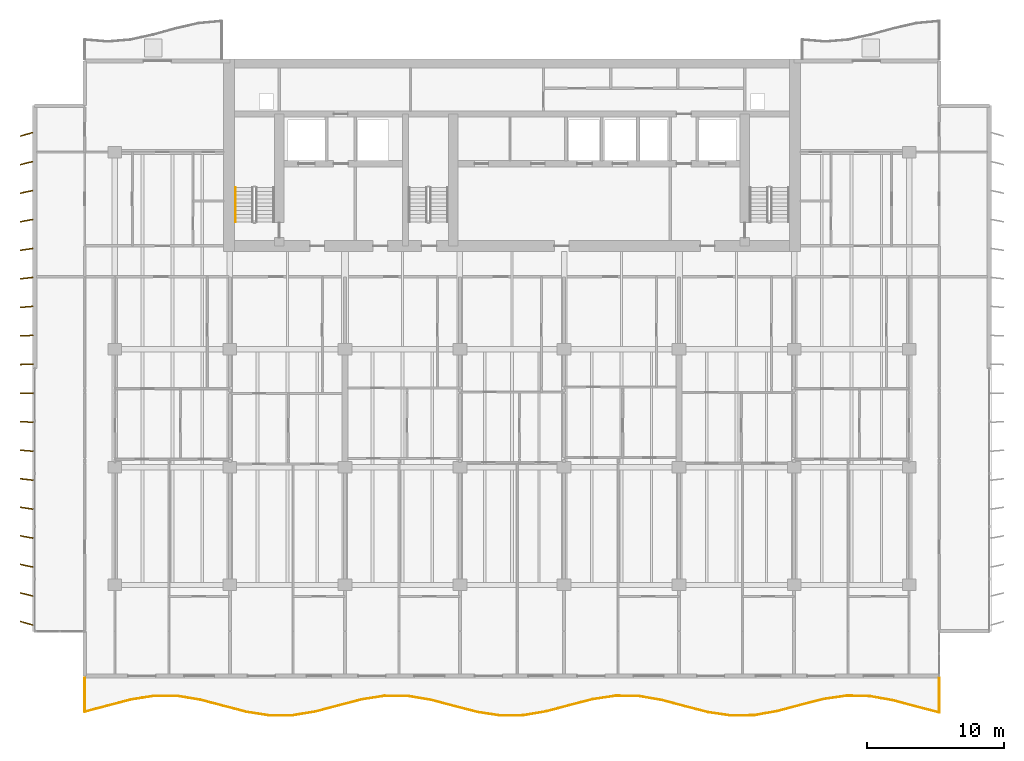
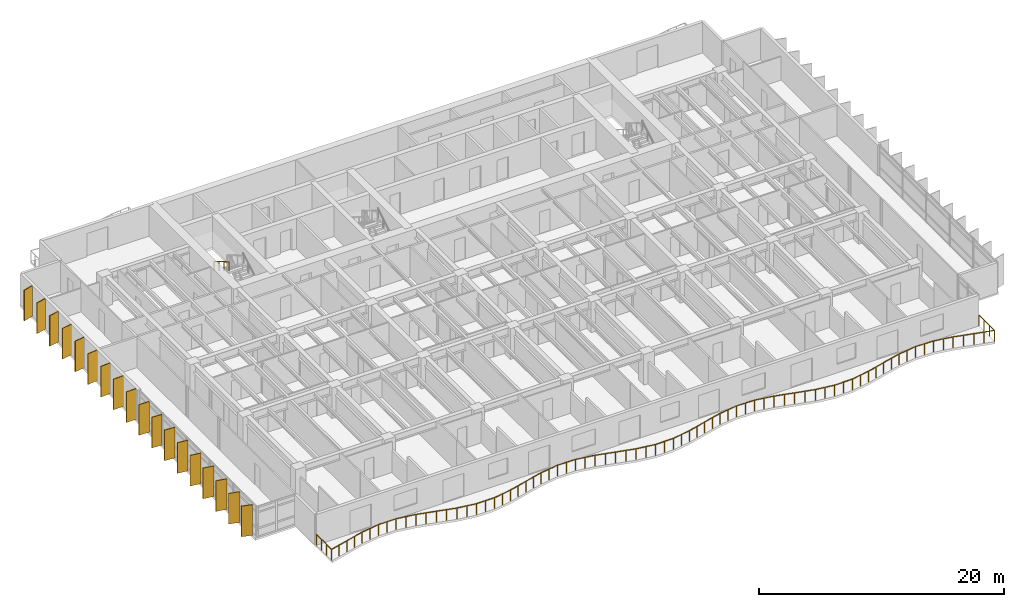
# One storey, part 15 of 18: 18 shading devices, 2 railings.
"""IFC4 building model written with IfcOpenShell, lengths in metres."""

from ifc_helpers import new_model, si_unit, direction, frame, origin, origin_2d, place, context, subcontext, project, spatial, rectangle, circle, extrude, material, material_profile, profile_set, type_object, element, save


model = new_model("IFC4")

# Units and contexts
model_context = context("Model", 3, precision=1e-05, world=origin(), true_north=direction((0.0, 1.0)))
body_context = subcontext(model_context, "Body", "Model", "MODEL_VIEW")
ifc_project = project(units=[si_unit("LENGTHUNIT", "METRE"), si_unit("AREAUNIT", "SQUARE_METRE"), si_unit("VOLUMEUNIT", "CUBIC_METRE"), si_unit("PLANEANGLEUNIT", "RADIAN"), si_unit("MASSUNIT", "GRAM", prefix="KILO")], contexts=[model_context])

# Site, building, storey
site_placement = place(None, origin())
site = spatial("IfcSite", under=ifc_project, at=site_placement, CompositionType="ELEMENT")
building_placement = place(site_placement, origin())
building = spatial("IfcBuilding", under=site, at=building_placement, Name="Caelmar Bay Residences", CompositionType="ELEMENT")
storey_placement = place(building_placement, frame((0.0, 0.0, 122.39990234375)))
storey = spatial("IfcBuildingStorey", under=building, at=storey_placement, Name="L33", CompositionType="ELEMENT", Elevation=122.39990234375)

# Railings
ifc_material_1 = material(Name="Anodised bronze handrail with laminated hurricane glass infill", Category="glass")
railing_type_1 = type_object("IfcRailingType", Name="RL-BAL-1100", PredefinedType="BALUSTRADE", material=ifc_material_1)
railing_1_placement = place(storey_placement, frame((7.699951171875, 5.39990234375, 0.0)))
element("IfcRailing", 1, at=railing_1_placement, inside=storey, type_object=railing_type_1, Name="L33 south Balcony Balustrade", PredefinedType="BALUSTRADE", context=body_context, shape_type="SweptSolid", body=[
    extrude(circle(Radius=0.02392578125, at=origin_2d()), frame((0.0, 0.0, 1.076171875), z_axis=(0.0, -1.0, 0.0), x_axis=(1.0, 0.0, 0.0)), (0.0, 0.0, 1.0), 2.460693359375),
    extrude(circle(Radius=0.02392578125, at=origin_2d()), frame((0.0, -2.460693359375, 1.076171875), z_axis=(0.967242999152, 0.253852281045, 0.0), x_axis=(-0.253852281045, 0.967242999152, 0.0)), (0.0, 0.0, 1.0), 1.74365234375),
    extrude(circle(Radius=0.02392578125, at=origin_2d()), frame((1.6865234375, -2.01806640625, 1.076171875), z_axis=(0.967346068881, 0.25345923345, 0.0), x_axis=(-0.25345923345, 0.967346068881, 0.0)), (0.0, 0.0, 1.0), 1.743408203125),
    extrude(circle(Radius=0.02392578125, at=origin_2d()), frame((3.373046875, -1.576171875, 1.076171875), z_axis=(0.987312771939, 0.15878756364, 0.0), x_axis=(-0.15878756364, 0.987312771939, 0.0)), (0.0, 0.0, 1.0), 1.708251953125),
    extrude(circle(Radius=0.02392578125, at=origin_2d()), frame((5.0595703125, -1.304931640625, 1.076171875), z_axis=(0.999997316947, -0.002316484302, 0.0), x_axis=(0.002316484302, 0.999997316947, 0.0)), (0.0, 0.0, 1.0), 1.686279296875),
    extrude(circle(Radius=0.02392578125, at=origin_2d()), frame((6.745849609375, -1.308837890625, 1.076171875), z_axis=(0.986723913917, -0.162406643041, 0.0), x_axis=(0.162406643041, 0.986723913917, 0.0)), (0.0, 0.0, 1.0), 1.709228515625),
    extrude(circle(Radius=0.02392578125, at=origin_2d()), frame((8.432373046875, -1.58642578125, 1.076171875), z_axis=(0.967001967981, -0.254768902971, 0.0), x_axis=(0.254768902971, 0.967001967981, 0.0)), (0.0, 0.0, 1.0), 1.744140625),
    extrude(circle(Radius=0.02392578125, at=origin_2d()), frame((10.118896484375, -2.03076171875, 1.076171875), z_axis=(0.967586028705, -0.252541634301, 0.0), x_axis=(0.252541634301, 0.967586028705, 0.0)), (0.0, 0.0, 1.0), 1.742919921875),
    extrude(circle(Radius=0.02392578125, at=origin_2d()), frame((11.805419921875, -2.470947265625, 1.076171875), z_axis=(0.98773512565, -0.156138789405, 0.0), x_axis=(0.156138789405, 0.98773512565, 0.0)), (0.0, 0.0, 1.0), 1.70751953125),
    extrude(circle(Radius=0.02392578125, at=origin_2d()), frame((13.491943359375, -2.737548828125, 1.076171875), z_axis=(0.999984063822, 0.005645538287, 0.0), x_axis=(-0.005645538287, 0.999984063822, 0.0)), (0.0, 0.0, 1.0), 1.6865234375),
    extrude(circle(Radius=0.02392578125, at=origin_2d()), frame((15.178466796875, -2.72802734375, 1.076171875), z_axis=(0.986285665301, 0.165047224825, 0.0), x_axis=(-0.165047224825, 0.986285665301, 0.0)), (0.0, 0.0, 1.0), 1.7099609375),
    extrude(circle(Radius=0.02392578125, at=origin_2d()), frame((16.864990234375, -2.44580078125, 1.076171875), z_axis=(0.966794774667, 0.255554032794, 0.0), x_axis=(-0.255554032794, 0.966794774667, 0.0)), (0.0, 0.0, 1.0), 1.744384765625),
    extrude(circle(Radius=0.02392578125, at=origin_2d()), frame((18.551513671875, -2.0, 1.076171875), z_axis=(0.967816364062, 0.251657476452, 0.0), x_axis=(-0.251657476452, 0.967816364062, 0.0)), (0.0, 0.0, 1.0), 1.742431640625),
    extrude(circle(Radius=0.02392578125, at=origin_2d()), frame((20.23779296875, -1.5615234375, 1.076171875), z_axis=(0.988172408476, 0.153346963215, 0.0), x_axis=(-0.153346963215, 0.988172408476, 0.0)), (0.0, 0.0, 1.0), 1.706787109375),
    extrude(circle(Radius=0.02392578125, at=origin_2d()), frame((21.92431640625, -1.2998046875, 1.076171875), z_axis=(0.999959726211, -0.00897473987, 0.0), x_axis=(0.00897473987, 0.999959726211, 0.0)), (0.0, 0.0, 1.0), 1.6865234375),
    extrude(circle(Radius=0.02392578125, at=origin_2d()), frame((23.61083984375, -1.31494140625, 1.076171875), z_axis=(0.98588789795, -0.167406847756, 0.0), x_axis=(0.167406847756, 0.98588789795, 0.0)), (0.0, 0.0, 1.0), 1.710693359375),
    extrude(circle(Radius=0.02392578125, at=origin_2d()), frame((25.29736328125, -1.601318359375, 1.076171875), z_axis=(0.966517664442, -0.256600086362, 0.0), x_axis=(0.256600086362, 0.966517664442, 0.0)), (0.0, 0.0, 1.0), 1.744873046875),
    extrude(circle(Radius=0.02392578125, at=origin_2d()), frame((26.98388671875, -2.049072265625, 1.076171875), z_axis=(0.968131680755, -0.250441707225, 0.0), x_axis=(0.250441707225, 0.968131680755, 0.0)), (0.0, 0.0, 1.0), 1.741943359375),
    extrude(circle(Radius=0.02392578125, at=origin_2d()), frame((28.67041015625, -2.4853515625, 1.076171875), z_axis=(0.988559536342, -0.15083117419, 0.0), x_axis=(0.15083117419, 0.988559536342, 0.0)), (0.0, 0.0, 1.0), 1.7060546875),
    extrude(circle(Radius=0.02392578125, at=origin_2d()), frame((30.35693359375, -2.74267578125, 1.076171875), z_axis=(0.999924285403, 0.0123054241, 0.0), x_axis=(-0.0123054241, 0.999924285403, 0.0)), (0.0, 0.0, 1.0), 1.6865234375),
    extrude(circle(Radius=0.02392578125, at=origin_2d()), frame((32.043212890625, -2.721923828125, 1.076171875), z_axis=(0.985437045212, 0.17004067138, 0.0), x_axis=(-0.17004067138, 0.985437045212, 0.0)), (0.0, 0.0, 1.0), 1.71142578125),
    extrude(circle(Radius=0.02392578125, at=origin_2d()), frame((33.729736328125, -2.430908203125, 1.076171875), z_axis=(0.966309193943, 0.257384035445, 0.0), x_axis=(-0.257384035445, 0.966309193943, 0.0)), (0.0, 0.0, 1.0), 1.745361328125),
    extrude(circle(Radius=0.02392578125, at=origin_2d()), frame((35.416259765625, -1.981689453125, 1.076171875), z_axis=(0.968403026193, 0.249390414533, 0.0), x_axis=(-0.249390414533, 0.968403026193, 0.0)), (0.0, 0.0, 1.0), 1.741455078125),
    extrude(circle(Radius=0.02392578125, at=origin_2d()), frame((37.102783203125, -1.54736328125, 1.076171875), z_axis=(0.988982509676, 0.148032413869, 0.0), x_axis=(-0.148032413869, 0.988982509676, 0.0)), (0.0, 0.0, 1.0), 1.705322265625),
    extrude(circle(Radius=0.02392578125, at=origin_2d()), frame((38.789306640625, -1.294921875, 1.076171875), z_axis=(0.999877810679, -0.015632137168, 0.0), x_axis=(0.015632137168, 0.999877810679, 0.0)), (0.0, 0.0, 1.0), 1.686767578125),
    extrude(circle(Radius=0.02392578125, at=origin_2d()), frame((40.475830078125, -1.3212890625, 1.076171875), z_axis=(0.985003822672, -0.17253251671, 0.0), x_axis=(0.17253251671, 0.985003822672, 0.0)), (0.0, 0.0, 1.0), 1.712158203125),
    extrude(circle(Radius=0.02392578125, at=origin_2d()), frame((42.162353515625, -1.61669921875, 1.076171875), z_axis=(0.966125737824, -0.25807180922, 0.0), x_axis=(0.25807180922, 0.966125737824, 0.0)), (0.0, 0.0, 1.0), 1.745361328125),
    extrude(circle(Radius=0.02392578125, at=origin_2d()), frame((43.8486328125, -2.067138671875, 1.076171875), z_axis=(0.968673380901, -0.248338239371, 0.0), x_axis=(0.248338239371, 0.968673380901, 0.0)), (0.0, 0.0, 1.0), 1.740966796875),
    extrude(circle(Radius=0.02392578125, at=origin_2d()), frame((45.53515625, -2.49951171875, 1.076171875), z_axis=(0.989377318398, -0.14537029215, 0.0), x_axis=(0.14537029215, 0.989377318398, 0.0)), (0.0, 0.0, 1.0), 1.70458984375),
    extrude(circle(Radius=0.02392578125, at=origin_2d()), frame((47.2216796875, -2.747314453125, 1.076171875), z_axis=(0.999817486792, 0.019104792741, 0.0), x_axis=(-0.019104792741, 0.999817486792, 0.0)), (0.0, 0.0, 1.0), 1.686767578125),
    extrude(circle(Radius=0.02392578125, at=origin_2d()), frame((48.908203125, -2.715087890625, 1.076171875), z_axis=(0.984589241771, 0.174882889353, 0.0), x_axis=(-0.174882889353, 0.984589241771, 0.0)), (0.0, 0.0, 1.0), 1.712890625),
    extrude(circle(Radius=0.02392578125, at=origin_2d()), frame((50.5947265625, -2.41552734375, 1.076171875), z_axis=(0.965925582336, 0.258819955545, 0.0), x_axis=(-0.258819955545, 0.965925582336, 0.0)), (0.0, 0.0, 1.0), 1.74609375),
    extrude(circle(Radius=0.02392578125, at=origin_2d()), frame((52.28125, -1.963623046875, 1.076171875), z_axis=(0.968934163257, 0.247318796847, 0.0), x_axis=(-0.247318796847, 0.968934163257, 0.0)), (0.0, 0.0, 1.0), 1.740234375),
    extrude(circle(Radius=0.02392578125, at=origin_2d()), frame((53.967529296875, -1.533203125, 1.076171875), z_axis=(0.989785492966, 0.142564644687, 0.0), x_axis=(-0.142564644687, 0.989785492966, 0.0)), (0.0, 0.0, 1.0), 1.703857421875),
    extrude(circle(Radius=0.02392578125, at=origin_2d()), frame((55.654052734375, -1.290283203125, 1.076171875), z_axis=(0.999748368622, -0.022432107287, 0.0), x_axis=(0.022432107287, 0.999748368622, 0.0)), (0.0, 0.0, 1.0), 1.68701171875),
    extrude(circle(Radius=0.02392578125, at=origin_2d()), frame((57.340576171875, -1.328125, 1.076171875), z_axis=(0.984144551862, -0.177368263907, 0.0), x_axis=(0.177368263907, 0.984144551862, 0.0)), (0.0, 0.0, 1.0), 1.713623046875),
    extrude(circle(Radius=0.02392578125, at=origin_2d()), frame((59.027099609375, -1.632080078125, 1.076171875), z_axis=(0.965750609382, -0.259472080344, 0.0), x_axis=(0.259472080344, 0.965750609382, 0.0)), (0.0, 0.0, 1.0), 1.746337890625),
    extrude(circle(Radius=0.02392578125, at=origin_2d()), frame((60.713623046875, -2.085205078125, 1.076171875), z_axis=(0.969244582602, -0.246099449607, 0.0), x_axis=(0.246099449607, 0.969244582602, 0.0)), (0.0, 0.0, 1.0), 1.739990234375),
    extrude(circle(Radius=0.02392578125, at=origin_2d()), frame((62.400146484375, -2.513427734375, 1.076171875), z_axis=(0.0, 1.0, 0.0), x_axis=(-1.0, 0.0, 0.0)), (0.0, 0.0, 1.0), 2.513427734375),
    extrude(circle(Radius=0.02099609375, at=origin_2d()), origin(), (0.0, 0.0, 1.0), 1.052001953125),
    extrude(circle(Radius=0.02099609375, at=origin_2d()), frame((0.0, -0.8203125, 0.0)), (0.0, 0.0, 1.0), 1.052001953125),
    extrude(circle(Radius=0.02099609375, at=origin_2d()), frame((0.0, -1.640380859375, 0.0)), (0.0, 0.0, 1.0), 1.052001953125),
    extrude(circle(Radius=0.02099609375, at=origin_2d()), frame((0.0, -2.460693359375, 0.0)), (0.0, 0.0, 1.0), 1.052001953125),
    extrude(circle(Radius=0.02099609375, at=origin_2d()), frame((0.84326171875, -2.2392578125, 0.0)), (0.0, 0.0, 1.0), 1.052001953125),
    extrude(circle(Radius=0.02099609375, at=origin_2d()), frame((1.6865234375, -2.01806640625, 0.0)), (0.0, 0.0, 1.0), 1.052001953125),
    extrude(circle(Radius=0.02099609375, at=origin_2d()), frame((2.52978515625, -1.797119140625, 0.0)), (0.0, 0.0, 1.0), 1.052001953125),
    extrude(circle(Radius=0.02099609375, at=origin_2d()), frame((3.373046875, -1.576171875, 0.0)), (0.0, 0.0, 1.0), 1.052001953125),
    extrude(circle(Radius=0.02099609375, at=origin_2d()), frame((4.21630859375, -1.4404296875, 0.0)), (0.0, 0.0, 1.0), 1.052001953125),
    extrude(circle(Radius=0.02099609375, at=origin_2d()), frame((5.0595703125, -1.304931640625, 0.0)), (0.0, 0.0, 1.0), 1.052001953125),
    extrude(circle(Radius=0.02099609375, at=origin_2d()), frame((5.90283203125, -1.306884765625, 0.0)), (0.0, 0.0, 1.0), 1.052001953125),
    extrude(circle(Radius=0.02099609375, at=origin_2d()), frame((6.745849609375, -1.308837890625, 0.0)), (0.0, 0.0, 1.0), 1.052001953125),
    extrude(circle(Radius=0.02099609375, at=origin_2d()), frame((7.589111328125, -1.44775390625, 0.0)), (0.0, 0.0, 1.0), 1.052001953125),
    extrude(circle(Radius=0.02099609375, at=origin_2d()), frame((8.432373046875, -1.58642578125, 0.0)), (0.0, 0.0, 1.0), 1.052001953125),
    extrude(circle(Radius=0.02099609375, at=origin_2d()), frame((9.275634765625, -1.80859375, 0.0)), (0.0, 0.0, 1.0), 1.052001953125),
    extrude(circle(Radius=0.02099609375, at=origin_2d()), frame((10.118896484375, -2.03076171875, 0.0)), (0.0, 0.0, 1.0), 1.052001953125),
    extrude(circle(Radius=0.02099609375, at=origin_2d()), frame((10.962158203125, -2.2509765625, 0.0)), (0.0, 0.0, 1.0), 1.052001953125),
    extrude(circle(Radius=0.02099609375, at=origin_2d()), frame((11.805419921875, -2.470947265625, 0.0)), (0.0, 0.0, 1.0), 1.052001953125),
    extrude(circle(Radius=0.02099609375, at=origin_2d()), frame((12.648681640625, -2.604248046875, 0.0)), (0.0, 0.0, 1.0), 1.052001953125),
    extrude(circle(Radius=0.02099609375, at=origin_2d()), frame((13.491943359375, -2.737548828125, 0.0)), (0.0, 0.0, 1.0), 1.052001953125),
    extrude(circle(Radius=0.02099609375, at=origin_2d()), frame((14.335205078125, -2.73291015625, 0.0)), (0.0, 0.0, 1.0), 1.052001953125),
    extrude(circle(Radius=0.02099609375, at=origin_2d()), frame((15.178466796875, -2.72802734375, 0.0)), (0.0, 0.0, 1.0), 1.052001953125),
    extrude(circle(Radius=0.02099609375, at=origin_2d()), frame((16.021728515625, -2.5869140625, 0.0)), (0.0, 0.0, 1.0), 1.052001953125),
    extrude(circle(Radius=0.02099609375, at=origin_2d()), frame((16.864990234375, -2.44580078125, 0.0)), (0.0, 0.0, 1.0), 1.052001953125),
    extrude(circle(Radius=0.02099609375, at=origin_2d()), frame((17.708251953125, -2.222900390625, 0.0)), (0.0, 0.0, 1.0), 1.052001953125),
    extrude(circle(Radius=0.02099609375, at=origin_2d()), frame((18.551513671875, -2.0, 0.0)), (0.0, 0.0, 1.0), 1.052001953125),
    extrude(circle(Radius=0.02099609375, at=origin_2d()), frame((19.39453125, -1.78076171875, 0.0)), (0.0, 0.0, 1.0), 1.052001953125),
    extrude(circle(Radius=0.02099609375, at=origin_2d()), frame((20.23779296875, -1.5615234375, 0.0)), (0.0, 0.0, 1.0), 1.052001953125),
    extrude(circle(Radius=0.02099609375, at=origin_2d()), frame((21.0810546875, -1.4306640625, 0.0)), (0.0, 0.0, 1.0), 1.052001953125),
    extrude(circle(Radius=0.02099609375, at=origin_2d()), frame((21.92431640625, -1.2998046875, 0.0)), (0.0, 0.0, 1.0), 1.052001953125),
    extrude(circle(Radius=0.02099609375, at=origin_2d()), frame((22.767578125, -1.307373046875, 0.0)), (0.0, 0.0, 1.0), 1.052001953125),
    extrude(circle(Radius=0.02099609375, at=origin_2d()), frame((23.61083984375, -1.31494140625, 0.0)), (0.0, 0.0, 1.0), 1.052001953125),
    extrude(circle(Radius=0.02099609375, at=origin_2d()), frame((24.4541015625, -1.4580078125, 0.0)), (0.0, 0.0, 1.0), 1.052001953125),
    extrude(circle(Radius=0.02099609375, at=origin_2d()), frame((25.29736328125, -1.601318359375, 0.0)), (0.0, 0.0, 1.0), 1.052001953125),
    extrude(circle(Radius=0.02099609375, at=origin_2d()), frame((26.140625, -1.8251953125, 0.0)), (0.0, 0.0, 1.0), 1.052001953125),
    extrude(circle(Radius=0.02099609375, at=origin_2d()), frame((26.98388671875, -2.049072265625, 0.0)), (0.0, 0.0, 1.0), 1.052001953125),
    extrude(circle(Radius=0.02099609375, at=origin_2d()), frame((27.8271484375, -2.26708984375, 0.0)), (0.0, 0.0, 1.0), 1.052001953125),
    extrude(circle(Radius=0.02099609375, at=origin_2d()), frame((28.67041015625, -2.4853515625, 0.0)), (0.0, 0.0, 1.0), 1.052001953125),
    extrude(circle(Radius=0.02099609375, at=origin_2d()), frame((29.513671875, -2.614013671875, 0.0)), (0.0, 0.0, 1.0), 1.052001953125),
    extrude(circle(Radius=0.02099609375, at=origin_2d()), frame((30.35693359375, -2.74267578125, 0.0)), (0.0, 0.0, 1.0), 1.052001953125),
    extrude(circle(Radius=0.02099609375, at=origin_2d()), frame((31.2001953125, -2.732421875, 0.0)), (0.0, 0.0, 1.0), 1.052001953125),
    extrude(circle(Radius=0.02099609375, at=origin_2d()), frame((32.043212890625, -2.721923828125, 0.0)), (0.0, 0.0, 1.0), 1.052001953125),
    extrude(circle(Radius=0.02099609375, at=origin_2d()), frame((32.886474609375, -2.576416015625, 0.0)), (0.0, 0.0, 1.0), 1.052001953125),
    extrude(circle(Radius=0.02099609375, at=origin_2d()), frame((33.729736328125, -2.430908203125, 0.0)), (0.0, 0.0, 1.0), 1.052001953125),
    extrude(circle(Radius=0.02099609375, at=origin_2d()), frame((34.572998046875, -2.206298828125, 0.0)), (0.0, 0.0, 1.0), 1.052001953125),
    extrude(circle(Radius=0.02099609375, at=origin_2d()), frame((35.416259765625, -1.981689453125, 0.0)), (0.0, 0.0, 1.0), 1.052001953125),
    extrude(circle(Radius=0.02099609375, at=origin_2d()), frame((36.259521484375, -1.7646484375, 0.0)), (0.0, 0.0, 1.0), 1.052001953125),
    extrude(circle(Radius=0.02099609375, at=origin_2d()), frame((37.102783203125, -1.54736328125, 0.0)), (0.0, 0.0, 1.0), 1.052001953125),
    extrude(circle(Radius=0.02099609375, at=origin_2d()), frame((37.946044921875, -1.421142578125, 0.0)), (0.0, 0.0, 1.0), 1.052001953125),
    extrude(circle(Radius=0.02099609375, at=origin_2d()), frame((38.789306640625, -1.294921875, 0.0)), (0.0, 0.0, 1.0), 1.052001953125),
    extrude(circle(Radius=0.02099609375, at=origin_2d()), frame((39.632568359375, -1.30810546875, 0.0)), (0.0, 0.0, 1.0), 1.052001953125),
    extrude(circle(Radius=0.02099609375, at=origin_2d()), frame((40.475830078125, -1.3212890625, 0.0)), (0.0, 0.0, 1.0), 1.052001953125),
    extrude(circle(Radius=0.02099609375, at=origin_2d()), frame((41.319091796875, -1.468994140625, 0.0)), (0.0, 0.0, 1.0), 1.052001953125),
    extrude(circle(Radius=0.02099609375, at=origin_2d()), frame((42.162353515625, -1.61669921875, 0.0)), (0.0, 0.0, 1.0), 1.052001953125),
    extrude(circle(Radius=0.02099609375, at=origin_2d()), frame((43.00537109375, -1.841796875, 0.0)), (0.0, 0.0, 1.0), 1.052001953125),
    extrude(circle(Radius=0.02099609375, at=origin_2d()), frame((43.8486328125, -2.067138671875, 0.0)), (0.0, 0.0, 1.0), 1.052001953125),
    extrude(circle(Radius=0.02099609375, at=origin_2d()), frame((44.69189453125, -2.283203125, 0.0)), (0.0, 0.0, 1.0), 1.052001953125),
    extrude(circle(Radius=0.02099609375, at=origin_2d()), frame((45.53515625, -2.49951171875, 0.0)), (0.0, 0.0, 1.0), 1.052001953125),
    extrude(circle(Radius=0.02099609375, at=origin_2d()), frame((46.37841796875, -2.62353515625, 0.0)), (0.0, 0.0, 1.0), 1.052001953125),
    extrude(circle(Radius=0.02099609375, at=origin_2d()), frame((47.2216796875, -2.747314453125, 0.0)), (0.0, 0.0, 1.0), 1.052001953125),
    extrude(circle(Radius=0.02099609375, at=origin_2d()), frame((48.06494140625, -2.731201171875, 0.0)), (0.0, 0.0, 1.0), 1.052001953125),
    extrude(circle(Radius=0.02099609375, at=origin_2d()), frame((48.908203125, -2.715087890625, 0.0)), (0.0, 0.0, 1.0), 1.052001953125),
    extrude(circle(Radius=0.02099609375, at=origin_2d()), frame((49.75146484375, -2.5654296875, 0.0)), (0.0, 0.0, 1.0), 1.052001953125),
    extrude(circle(Radius=0.02099609375, at=origin_2d()), frame((50.5947265625, -2.41552734375, 0.0)), (0.0, 0.0, 1.0), 1.052001953125),
    extrude(circle(Radius=0.02099609375, at=origin_2d()), frame((51.43798828125, -2.189453125, 0.0)), (0.0, 0.0, 1.0), 1.052001953125),
    extrude(circle(Radius=0.02099609375, at=origin_2d()), frame((52.28125, -1.963623046875, 0.0)), (0.0, 0.0, 1.0), 1.052001953125),
    extrude(circle(Radius=0.02099609375, at=origin_2d()), frame((53.12451171875, -1.74853515625, 0.0)), (0.0, 0.0, 1.0), 1.052001953125),
    extrude(circle(Radius=0.02099609375, at=origin_2d()), frame((53.967529296875, -1.533203125, 0.0)), (0.0, 0.0, 1.0), 1.052001953125),
    extrude(circle(Radius=0.02099609375, at=origin_2d()), frame((54.810791015625, -1.41162109375, 0.0)), (0.0, 0.0, 1.0), 1.052001953125),
    extrude(circle(Radius=0.02099609375, at=origin_2d()), frame((55.654052734375, -1.290283203125, 0.0)), (0.0, 0.0, 1.0), 1.052001953125),
    extrude(circle(Radius=0.02099609375, at=origin_2d()), frame((56.497314453125, -1.30908203125, 0.0)), (0.0, 0.0, 1.0), 1.052001953125),
    extrude(circle(Radius=0.02099609375, at=origin_2d()), frame((57.340576171875, -1.328125, 0.0)), (0.0, 0.0, 1.0), 1.052001953125),
    extrude(circle(Radius=0.02099609375, at=origin_2d()), frame((58.183837890625, -1.47998046875, 0.0)), (0.0, 0.0, 1.0), 1.052001953125),
    extrude(circle(Radius=0.02099609375, at=origin_2d()), frame((59.027099609375, -1.632080078125, 0.0)), (0.0, 0.0, 1.0), 1.052001953125),
    extrude(circle(Radius=0.02099609375, at=origin_2d()), frame((59.870361328125, -1.858642578125, 0.0)), (0.0, 0.0, 1.0), 1.052001953125),
    extrude(circle(Radius=0.02099609375, at=origin_2d()), frame((60.713623046875, -2.085205078125, 0.0)), (0.0, 0.0, 1.0), 1.052001953125),
    extrude(circle(Radius=0.02099609375, at=origin_2d()), frame((61.556884765625, -2.29931640625, 0.0)), (0.0, 0.0, 1.0), 1.052001953125),
    extrude(circle(Radius=0.02099609375, at=origin_2d()), frame((62.400146484375, -2.513427734375, 0.0)), (0.0, 0.0, 1.0), 1.052001953125),
    extrude(circle(Radius=0.02099609375, at=origin_2d()), frame((62.400146484375, -1.675537109375, 0.0)), (0.0, 0.0, 1.0), 1.052001953125),
    extrude(circle(Radius=0.02099609375, at=origin_2d()), frame((62.400146484375, -0.837890625, 0.0)), (0.0, 0.0, 1.0), 1.052001953125),
    extrude(circle(Radius=0.02099609375, at=origin_2d()), frame((62.400146484375, 0.0, 0.0)), (0.0, 0.0, 1.0), 1.052001953125),
])
ifc_material_2 = material(Name="Brushed bronze stainless-steel tubular handrail 900 mm", Category="steel")
railing_type_2 = type_object("IfcRailingType", Name="RL-HND-900", PredefinedType="HANDRAIL", material=ifc_material_2)
railing_2_placement = place(storey_placement, frame((18.699951171875, 41.219970703125, 1.815185546875)))
element("IfcRailing", 2, at=railing_2_placement, inside=storey, type_object=railing_type_2, Name="L33 ST1 stair handrail 2", PredefinedType="HANDRAIL", context=body_context, shape_type="SweptSolid", body=[
    extrude(circle(Radius=0.02392578125, at=origin_2d()), frame((0.0, 0.0, 0.8759765625), z_axis=(0.0, -0.861560626758, 0.507654692109), x_axis=(1.0, 0.0, 0.0)), (0.0, 0.0, 1.0), 2.925048828125),
    extrude(circle(Radius=0.02099609375, at=origin_2d()), origin(), (0.0, 0.0, 1.0), 0.851806640625),
    extrude(circle(Radius=0.02099609375, at=origin_2d()), frame((0.0, -0.840087890625, 0.494873046875)), (0.0, 0.0, 1.0), 0.851806640625),
    extrude(circle(Radius=0.02099609375, at=origin_2d()), frame((0.0, -1.679931640625, 0.989990234375)), (0.0, 0.0, 1.0), 0.851806640625),
    extrude(circle(Radius=0.02099609375, at=origin_2d()), frame((0.0, -2.52001953125, 1.48486328125)), (0.0, 0.0, 1.0), 0.851806640625),
])

# Shading devices
ifc_material_3 = material(Name="Anodised architectural bronze aluminium 6063-T6", Category="aluminium")
ifc_material_profile = material_profile(ifc_material_3, rectangle(XDim=0.074951171875, YDim=0.949951171875, at=origin_2d()), Name="BRONZE-FIN-75X950")
ifc_profile_set = profile_set([ifc_material_profile], Name="Anodised architectural bronze aluminium 6063-T6")
shading_device_type = type_object("IfcShadingDeviceType", Name="SHD-FIN-950", PredefinedType="USERDEFINED", material=ifc_profile_set)
for number, where, z_axis, x_axis, name in (
    (3, (3.449951171875, 9.39990234375, 0.0), (0.0, 0.0, 1.0), (0.275637355817, 0.961261695938, 0.0), "L33 West Bronze Solar Fin 1"),
    (4, (3.449951171875, 11.5, 0.0), (0.0, 0.0, 1.0), (0.243953546137, 0.969786918517, 0.0), "L33 West Bronze Solar Fin 2"),
    (5, (3.449951171875, 13.60009765625, 0.0), (0.0, 0.0, 1.0), (0.212007109922, 0.977268123568, 0.0), "L33 West Bronze Solar Fin 3"),
    (6, (3.449951171875, 15.699951171875, 0.0), (0.0, 0.0, 1.0), (0.179660748593, 0.98372862895, 0.0), "L33 West Bronze Solar Fin 4"),
    (7, (3.449951171875, 17.800048828125, 0.0), (0.0, 0.0, 1.0), (0.147291543397, 0.989093120613, 0.0), "L33 West Bronze Solar Fin 5"),
    (8, (3.449951171875, 19.89990234375, 0.0), (0.0, 0.0, 1.0), (0.114763772489, 0.993392810787, 0.0), "L33 West Bronze Solar Fin 6"),
    (9, (3.449951171875, 22.0, 0.0), (0.0, 0.0, 1.0), (0.08211245342, 0.996623070671, 0.0), "L33 West Bronze Solar Fin 7"),
    (10, (3.449951171875, 24.10009765625, 0.0), (0.0, 0.0, 1.0), (0.049198415926, 0.998789024705, 0.0), "L33 West Bronze Solar Fin 8"),
    (11, (3.449951171875, 26.199951171875, 0.0), (0.0, 0.0, 1.0), (0.016405359001, 0.999865423043, 0.0), "L33 West Bronze Solar Fin 9"),
    (12, (3.449951171875, 28.300048828125, 0.0), (0.0, 0.0, 1.0), (-0.016405359001, 0.999865423043, 0.0), "L33 West Bronze Solar Fin 10"),
    (13, (3.449951171875, 30.39990234375, 0.0), (0.0, 0.0, 1.0), (-0.049198415926, 0.998789024705, 0.0), "L33 West Bronze Solar Fin 11"),
    (14, (3.449951171875, 32.5, 0.0), (0.0, 0.0, 1.0), (-0.08211245342, 0.996623070671, 0.0), "L33 West Bronze Solar Fin 12"),
    (15, (3.449951171875, 34.60009765625, 0.0), (0.0, 0.0, 1.0), (-0.114763772489, 0.993392810787, 0.0), "L33 West Bronze Solar Fin 13"),
    (16, (3.449951171875, 36.699951171875, 0.0), (0.0, 0.0, 1.0), (-0.147291543397, 0.989093120613, 0.0), "L33 West Bronze Solar Fin 14"),
    (17, (3.449951171875, 38.800048828125, 0.0), (0.0, 0.0, 1.0), (-0.179660748593, 0.98372862895, 0.0), "L33 West Bronze Solar Fin 15"),
    (18, (3.449951171875, 40.89990234375, 0.0), (0.0, 0.0, 1.0), (-0.212007109922, 0.977268123568, 0.0), "L33 West Bronze Solar Fin 16"),
    (19, (3.449951171875, 43.0, 0.0), (0.0, 0.0, 1.0), (-0.243953546137, 0.969786918517, 0.0), "L33 West Bronze Solar Fin 17"),
    (20, (3.449951171875, 45.10009765625, 0.0), (0.0, 0.0, 1.0), (-0.275637355817, 0.961261695938, 0.0), "L33 West Bronze Solar Fin 18"),
):
    element("IfcShadingDevice", number, at=place(storey_placement, frame(where, z_axis=z_axis, x_axis=x_axis)), inside=storey, type_object=shading_device_type, Name=name, ObjectType="FIN", PredefinedType="USERDEFINED", context=body_context, shape_type="SweptSolid", body=[
        extrude(rectangle(XDim=0.074951171875, YDim=0.949951171875, at=origin_2d()), origin(), (0.0, 0.0, 1.0), 3.050048828125),
    ])

save(model, "model.ifc")
